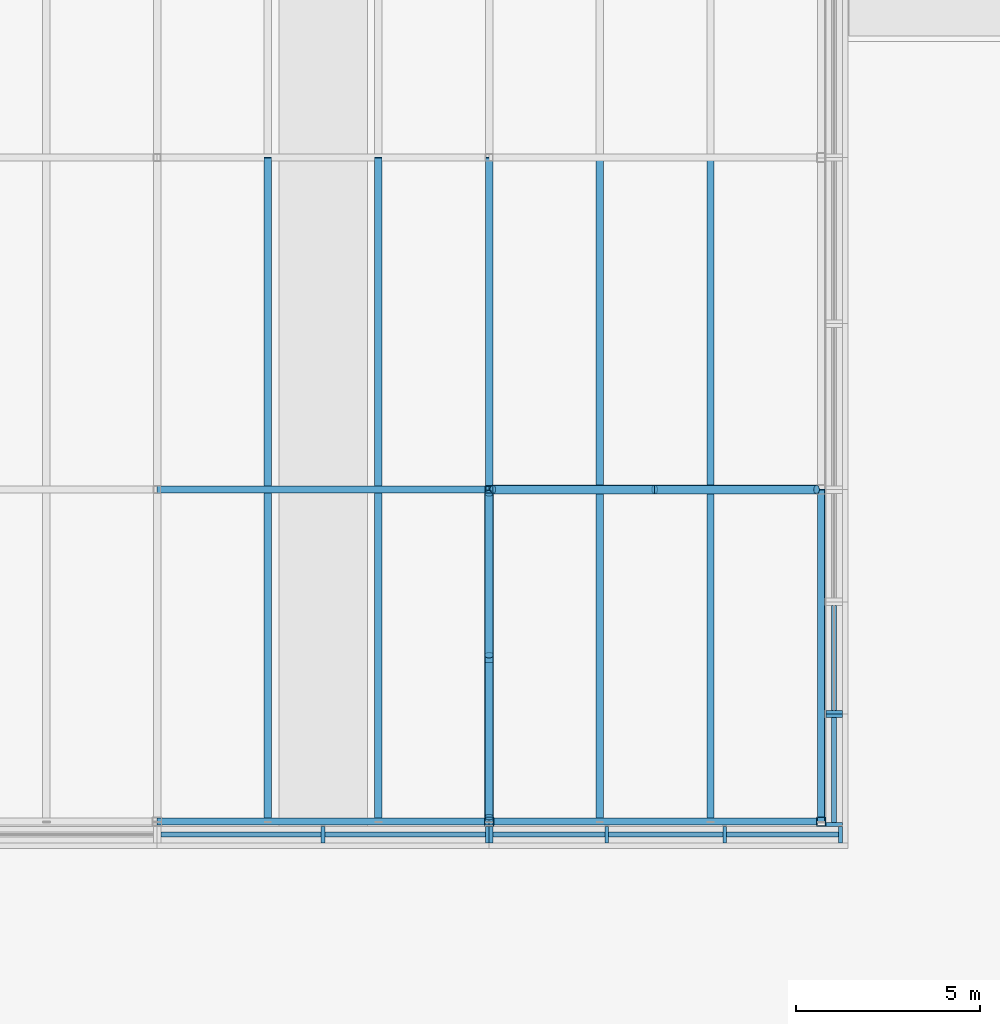
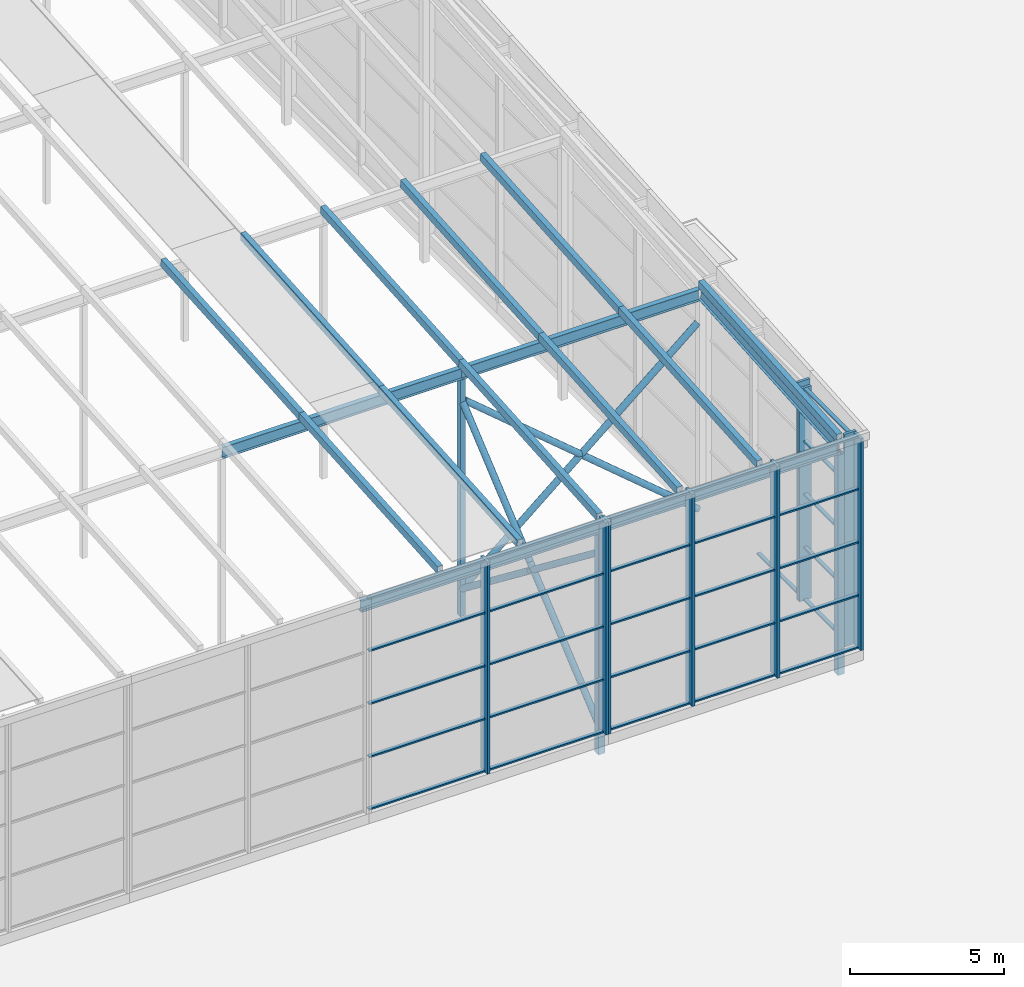
# One storey, part 20 of 84: 62 members, 5 beams, 4 elements without a shape of their own.
"""IFC4 building model written with IfcOpenShell, lengths in metres."""

from ifc_helpers import new_model, si_unit, direction, frame, origin, origin_2d, place, context, subcontext, project, spatial, rectangle, hollow_rectangle, hollow_circle, i_section, extrude, material, material_profile, profile_set, type_object, element, aggregate, save


model = new_model("IFC4")

# Units and contexts
model_context = context("Model", 3, precision=1e-05, world=origin(), true_north=direction((0.0, 1.0)))
body_context = subcontext(model_context, "Body", "Model", "MODEL_VIEW")
ifc_project = project(units=[si_unit("LENGTHUNIT", "METRE"), si_unit("AREAUNIT", "SQUARE_METRE"), si_unit("VOLUMEUNIT", "CUBIC_METRE"), si_unit("PLANEANGLEUNIT", "RADIAN"), si_unit("MASSUNIT", "GRAM", prefix="KILO")], contexts=[model_context])

# Site, building, storey
site_placement = place(None, origin())
site = spatial("IfcSite", under=ifc_project, at=site_placement, CompositionType="ELEMENT")
building_placement = place(site_placement, origin())
building = spatial("IfcBuilding", under=site, at=building_placement, Name="Silverbay Arena", CompositionType="ELEMENT")
storey_placement = place(building_placement, frame((0.0, 0.0, 47.10009765625)))
storey = spatial("IfcBuildingStorey", under=building, at=storey_placement, Name="ROOF", CompositionType="ELEMENT", Elevation=47.10009765625)

# Curtain wall, members
ifc_material_1 = material(Name="Aluminium framed glazing", Category="aluminium")
curtain_wall_type_1 = type_object("IfcCurtainWallType", Name="Curtain wall crown 9000 x 8425", PredefinedType="NOTDEFINED", material=ifc_material_1)
curtain_wall_1_placement = place(storey_placement, origin())
curtain_wall_1 = element("IfcCurtainWall", 1, at=curtain_wall_1_placement, inside=storey, type_object=curtain_wall_type_1, Name="ROOF CROWN CURTAIN WALL south bay 10", PredefinedType="NOTDEFINED")
ifc_material_2 = material(Name="Aluminium", Category="aluminium")
ifc_material_profile_1 = material_profile(ifc_material_2, rectangle(XDim=0.449951171875, YDim=0.10009765625, at=origin_2d()), Name="Mullion 100 x 450")
ifc_profile_set_1 = profile_set([ifc_material_profile_1], Name="Aluminium")
member_type_1 = type_object("IfcMemberType", Name="Mullion 100 x 450", PredefinedType="MULLION", material=ifc_profile_set_1)
placement = place(building_placement, frame((0.0, 0.0, 33.5)))
member_1_placement = place(placement, frame((166.5, 26.64990234375, 14.050048828125), z_axis=(0.0, 0.0, 1.0), x_axis=(0.0, 1.0, 0.0)))
member_1 = element("IfcMember", 2, at=member_1_placement, type_object=member_type_1, Name="CW62 mullion 2", PredefinedType="MULLION", context=body_context, shape_type="SweptSolid", body=[
    extrude(rectangle(XDim=0.449951171875, YDim=0.10009765625, at=origin_2d()), origin(), (0.0, 0.0, 1.0), 8.424560546875),
])
member_2_placement = place(placement, frame((170.949951171875, 26.64990234375, 14.050048828125), z_axis=(0.0, 0.0, 1.0), x_axis=(0.0, 1.0, 0.0)))
member_2 = element("IfcMember", 3, at=member_2_placement, type_object=member_type_1, Name="CW62 mullion 3", PredefinedType="MULLION", context=body_context, shape_type="SweptSolid", body=[
    extrude(rectangle(XDim=0.449951171875, YDim=0.10009765625, at=origin_2d()), origin(), (0.0, 0.0, 1.0), 8.424560546875),
])

ifc_material_3 = material(Name="Aluminium framed glazing", Category="aluminium")
curtain_wall_type_2 = type_object("IfcCurtainWallType", Name="Curtain wall crown 9575 x 8425", PredefinedType="NOTDEFINED", material=ifc_material_3)
curtain_wall_2_placement = place(storey_placement, origin())
curtain_wall_2 = element("IfcCurtainWall", 4, at=curtain_wall_2_placement, inside=storey, type_object=curtain_wall_type_2, Name="ROOF CROWN CURTAIN WALL south bay 11", PredefinedType="NOTDEFINED")
member_3_placement = place(placement, frame((171.050048828125, 26.64990234375, 14.050048828125), z_axis=(0.0, 0.0, 1.0), x_axis=(0.0, 1.0, 0.0)))
member_3 = element("IfcMember", 5, at=member_3_placement, type_object=member_type_1, Name="CW61 mullion 1", PredefinedType="MULLION", context=body_context, shape_type="SweptSolid", body=[
    extrude(rectangle(XDim=0.449951171875, YDim=0.10009765625, at=origin_2d()), origin(), (0.0, 0.0, 1.0), 8.424560546875),
])
member_4_placement = place(placement, frame((174.191650390625, 26.64990234375, 14.050048828125), z_axis=(0.0, 0.0, 1.0), x_axis=(0.0, 1.0, 0.0)))
member_4 = element("IfcMember", 6, at=member_4_placement, type_object=member_type_1, Name="CW61 mullion 2", PredefinedType="MULLION", context=body_context, shape_type="SweptSolid", body=[
    extrude(rectangle(XDim=0.449951171875, YDim=0.10009765625, at=origin_2d()), origin(), (0.0, 0.0, 1.0), 8.424560546875),
])
member_5_placement = place(placement, frame((177.38330078125, 26.64990234375, 14.050048828125), z_axis=(0.0, 0.0, 1.0), x_axis=(0.0, 1.0, 0.0)))
member_5 = element("IfcMember", 7, at=member_5_placement, type_object=member_type_1, Name="CW61 mullion 3", PredefinedType="MULLION", context=body_context, shape_type="SweptSolid", body=[
    extrude(rectangle(XDim=0.449951171875, YDim=0.10009765625, at=origin_2d()), origin(), (0.0, 0.0, 1.0), 8.424560546875),
])
member_6_placement = place(placement, frame((180.52490234375, 26.64990234375, 14.050048828125), z_axis=(0.0, 0.0, 1.0), x_axis=(0.0, 1.0, 0.0)))
member_6 = element("IfcMember", 8, at=member_6_placement, type_object=member_type_1, Name="CW61 mullion 4", PredefinedType="MULLION", context=body_context, shape_type="SweptSolid", body=[
    extrude(rectangle(XDim=0.449951171875, YDim=0.10009765625, at=origin_2d()), origin(), (0.0, 0.0, 1.0), 8.424560546875),
])

ifc_material_4 = material(Name="Aluminium framed glazing", Category="aluminium")
curtain_wall_type_3 = type_object("IfcCurtainWallType", Name="Curtain wall crown 3042 x 8441", PredefinedType="NOTDEFINED", material=ifc_material_4)
curtain_wall_3_placement = place(storey_placement, origin())
curtain_wall_3 = element("IfcCurtainWall", 9, at=curtain_wall_3_placement, inside=storey, type_object=curtain_wall_type_3, Name="ROOF CROWN CURTAIN WALL east bay 01", PredefinedType="NOTDEFINED")
member_7_placement = place(placement, frame((180.35009765625, 26.925048828125, 14.050048828125), z_axis=(0.0, 0.0, 1.0), x_axis=(-1.0, 0.0, 0.0)))
member_7 = element("IfcMember", 10, at=member_7_placement, type_object=member_type_1, Name="CW63 mullion 1", PredefinedType="MULLION", context=body_context, shape_type="SweptSolid", body=[
    extrude(rectangle(XDim=0.449951171875, YDim=0.10009765625, at=origin_2d()), origin(), (0.0, 0.0, 1.0), 8.44091796875),
])
member_8_placement = place(placement, frame((180.35009765625, 29.86669921875, 14.050048828125), z_axis=(0.0, 0.0, 1.0), x_axis=(-1.0, 0.0, 0.0)))
member_8 = element("IfcMember", 11, at=member_8_placement, type_object=member_type_1, Name="CW63 mullion 2", PredefinedType="MULLION", context=body_context, shape_type="SweptSolid", body=[
    extrude(rectangle(XDim=0.449951171875, YDim=0.10009765625, at=origin_2d()), origin(), (0.0, 0.0, 1.0), 8.44091796875),
])

# Curtain wall, member
ifc_material_5 = material(Name="Aluminium framed glazing", Category="aluminium")
curtain_wall_type_4 = type_object("IfcCurtainWallType", Name="Curtain wall crown 3042 x 8661", PredefinedType="NOTDEFINED", material=ifc_material_5)
curtain_wall_4_placement = place(storey_placement, origin())
curtain_wall_4 = element("IfcCurtainWall", 12, at=curtain_wall_4_placement, inside=storey, type_object=curtain_wall_type_4, Name="ROOF CROWN CURTAIN WALL east bay 02", PredefinedType="NOTDEFINED")
member_9_placement = place(placement, frame((180.35009765625, 29.966552734375, 14.050048828125), z_axis=(0.0, 0.0, 1.0), x_axis=(-1.0, 0.0, 0.0)))
member_9 = element("IfcMember", 13, at=member_9_placement, type_object=member_type_1, Name="CW64 mullion 1", PredefinedType="MULLION", context=body_context, shape_type="SweptSolid", body=[
    extrude(rectangle(XDim=0.449951171875, YDim=0.10009765625, at=origin_2d()), origin(), (0.0, 0.0, 1.0), 8.66064453125),
])

# Members
ifc_material_6 = material(Name="Steel S355", Category="steel")
ifc_material_profile_2 = material_profile(ifc_material_6, hollow_rectangle(XDim=0.199951171875, YDim=0.300048828125, WallThickness=0.00634765625, at=origin_2d()), Name="RHS 300x200x6.3")
ifc_profile_set_2 = profile_set([ifc_material_profile_2], Name="Steel S355")
member_type_2 = type_object("IfcMemberType", Name="Purlin RHS 300x200x6.3", PredefinedType="PURLIN", material=ifc_profile_set_2)
for number, where, z_axis, x_axis, name in (
    (14, (165.0, 27.0, 8.74951171875), (0.0, 0.997402911363, 0.072023832195), (-1.0, 0.0, 0.0), "ROOF PURLIN crown line 29 bay 01"),
    (15, (165.0, 36.0, 9.3994140625), (0.0, 0.997400967367, 0.07205074805), (-1.0, 0.0, 0.0), "ROOF PURLIN crown line 29 bay 02"),
    (16, (168.0, 27.0, 8.74951171875), (0.0, 0.997402911363, 0.072023832195), (-1.0, 0.0, 0.0), "ROOF PURLIN crown line 30 bay 01"),
    (17, (168.0, 36.0, 9.3994140625), (0.0, 0.997400967367, 0.07205074805), (-1.0, 0.0, 0.0), "ROOF PURLIN crown line 30 bay 02"),
    (18, (171.0, 27.0, 8.74951171875), (0.0, 0.997402911363, 0.072023832195), (-1.0, 0.0, 0.0), "ROOF PURLIN crown line 31 bay 01"),
    (19, (171.0, 36.0, 9.3994140625), (0.0, 0.997400967367, 0.07205074805), (-1.0, 0.0, 0.0), "ROOF PURLIN crown line 31 bay 02"),
    (20, (174.0, 27.0, 8.74951171875), (0.0, 0.997402911363, 0.072023832195), (-1.0, 0.0, 0.0), "ROOF PURLIN crown line 32 bay 01"),
    (21, (174.0, 36.0, 9.3994140625), (0.0, 0.997400967367, 0.07205074805), (-1.0, 0.0, 0.0), "ROOF PURLIN crown line 32 bay 02"),
    (22, (177.0, 27.0, 8.74951171875), (0.0, 0.997402911363, 0.072023832195), (-1.0, 0.0, 0.0), "ROOF PURLIN crown line 33 bay 01"),
    (23, (177.0, 36.0, 9.3994140625), (0.0, 0.997400967367, 0.07205074805), (-1.0, 0.0, 0.0), "ROOF PURLIN crown line 33 bay 02"),
):
    element("IfcMember", number, at=place(storey_placement, frame(where, z_axis=z_axis, x_axis=x_axis)), inside=storey, type_object=member_type_2, Name=name, PredefinedType="PURLIN", context=body_context, shape_type="SweptSolid", body=[
        extrude(hollow_rectangle(XDim=0.199951171875, YDim=0.300048828125, WallThickness=0.00634765625, at=origin_2d()), origin(), (0.0, 0.0, 1.0), 9.0234375),
    ])
ifc_material_7 = material(Name="Steel S355", Category="steel")
ifc_material_profile_3 = material_profile(ifc_material_7, hollow_rectangle(XDim=0.199951171875, YDim=0.300048828125, WallThickness=0.008056640625, at=origin_2d()), Name="RHS 300x200x8")
ifc_profile_set_3 = profile_set([ifc_material_profile_3], Name="Steel S355")
member_type_3 = type_object("IfcMemberType", Name="Purlin RHS 300x200x8", PredefinedType="PURLIN", material=ifc_profile_set_3)
member_10_placement = place(storey_placement, frame((180.0, 27.0, 8.74951171875), z_axis=(0.0, 0.997402911363, 0.072023832195), x_axis=(-1.0, 0.0, 0.0)))
element("IfcMember", 24, at=member_10_placement, inside=storey, type_object=member_type_3, Name="ROOF PURLIN crown line 34 bay 01", PredefinedType="PURLIN", context=body_context, shape_type="SweptSolid", body=[
    extrude(hollow_rectangle(XDim=0.199951171875, YDim=0.300048828125, WallThickness=0.008056640625, at=origin_2d()), origin(), (0.0, 0.0, 1.0), 9.0234375),
])

# Beams
ifc_material_8 = material(Name="Steel S355", Category="steel")
ifc_material_profile_4 = material_profile(ifc_material_8, i_section(OverallWidth=0.18994140625, OverallDepth=0.453369140625, WebThickness=0.008544921875, FlangeThickness=0.0126953125, at=origin_2d()), Name="UB 457x191x67")
ifc_profile_set_4 = profile_set([ifc_material_profile_4], Name="Steel S355")
beam_type = type_object("IfcBeamType", Name="Ring beam UB 457x191x67", PredefinedType="BEAM", material=ifc_profile_set_4)
beam_1_placement = place(storey_placement, frame((162.0, 27.0, 8.372314453125), z_axis=(1.0, 0.0, 0.0), x_axis=(0.0, 1.0, 0.0)))
element("IfcBeam", 25, at=beam_1_placement, inside=storey, type_object=beam_type, Name="RING BEAM crown row 01 19-20", PredefinedType="BEAM", context=body_context, shape_type="SweptSolid", body=[
    extrude(i_section(OverallWidth=0.18994140625, OverallDepth=0.453369140625, WebThickness=0.008544921875, FlangeThickness=0.0126953125, at=origin_2d()), origin(), (0.0, 0.0, 1.0), 9.0),
])
beam_2_placement = place(storey_placement, frame((171.0, 27.0, 8.372314453125), z_axis=(1.0, 0.0, 0.0), x_axis=(0.0, 1.0, 0.0)))
element("IfcBeam", 26, at=beam_2_placement, inside=storey, type_object=beam_type, Name="RING BEAM crown row 01 20-21", PredefinedType="BEAM", context=body_context, shape_type="SweptSolid", body=[
    extrude(i_section(OverallWidth=0.18994140625, OverallDepth=0.453369140625, WebThickness=0.008544921875, FlangeThickness=0.0126953125, at=origin_2d()), origin(), (0.0, 0.0, 1.0), 8.905029296875),
])
beam_3_placement = place(storey_placement, frame((162.0, 36.0, 9.0224609375), z_axis=(1.0, 0.0, 0.0), x_axis=(0.0, 1.0, 0.0)))
element("IfcBeam", 27, at=beam_3_placement, inside=storey, type_object=beam_type, Name="RING BEAM crown row 02 19-20", PredefinedType="BEAM", context=body_context, shape_type="SweptSolid", body=[
    extrude(i_section(OverallWidth=0.18994140625, OverallDepth=0.453369140625, WebThickness=0.008544921875, FlangeThickness=0.0126953125, at=origin_2d()), origin(), (0.0, 0.0, 1.0), 9.0),
])
beam_4_placement = place(storey_placement, frame((171.0, 36.0, 9.0224609375), z_axis=(1.0, 0.0, 0.0), x_axis=(0.0, 1.0, 0.0)))
element("IfcBeam", 28, at=beam_4_placement, inside=storey, type_object=beam_type, Name="RING BEAM crown row 02 20-21", PredefinedType="BEAM", context=body_context, shape_type="SweptSolid", body=[
    extrude(i_section(OverallWidth=0.18994140625, OverallDepth=0.453369140625, WebThickness=0.008544921875, FlangeThickness=0.0126953125, at=origin_2d()), origin(), (0.0, 0.0, 1.0), 8.905029296875),
])
beam_5_placement = place(storey_placement, frame((180.0, 27.0, 8.372314453125), z_axis=(0.0, 0.997400967367, 0.07205074805), x_axis=(-1.0, 0.0, 0.0)))
element("IfcBeam", 29, at=beam_5_placement, inside=storey, type_object=beam_type, Name="RING BEAM crown east edge 01", PredefinedType="BEAM", context=body_context, shape_type="SweptSolid", body=[
    extrude(i_section(OverallWidth=0.18994140625, OverallDepth=0.453369140625, WebThickness=0.008544921875, FlangeThickness=0.0126953125, at=origin_2d()), origin(), (0.0, 0.0, 1.0), 9.0234375),
])

# Members
ifc_material_9 = material(Name="Steel S355", Category="steel")
ifc_material_profile_5 = material_profile(ifc_material_9, hollow_rectangle(XDim=0.199951171875, YDim=0.199951171875, WallThickness=0.008056640625, at=origin_2d()), Name="SHS 200x200x8")
ifc_profile_set_5 = profile_set([ifc_material_profile_5], Name="Steel S355")
member_type_4 = type_object("IfcMemberType", Name="Roof post SHS 200x200x8", PredefinedType="POST", material=ifc_profile_set_5)
member_11_placement = place(storey_placement, frame((171.0, 36.0, -0.60009765625), z_axis=(0.0, 0.0, 1.0), x_axis=(1.0, 0.0, 0.0)))
element("IfcMember", 30, at=member_11_placement, inside=storey, type_object=member_type_4, Name="ROOF CROWN POST 20 row 02", PredefinedType="POST", context=body_context, shape_type="SweptSolid", body=[
    extrude(hollow_rectangle(XDim=0.199951171875, YDim=0.199951171875, WallThickness=0.008056640625, at=origin_2d()), origin(), (0.0, 0.0, 1.0), 9.395751953125),
])
ifc_material_10 = material(Name="Steel S355", Category="steel")
ifc_material_profile_6 = material_profile(ifc_material_10, hollow_rectangle(XDim=0.25, YDim=0.25, WallThickness=0.008056640625, at=origin_2d()), Name="SHS 250x250x8")
ifc_profile_set_6 = profile_set([ifc_material_profile_6], Name="Steel S355")
member_type_5 = type_object("IfcMemberType", Name="Roof post SHS 250x250x8", PredefinedType="POST", material=ifc_profile_set_6)
for number, where, z_axis, x_axis, name in (
    (31, (171.0, 27.0, -0.60009765625), (0.0, 0.0, 1.0), (1.0, 0.0, 0.0), "ROOF CROWN POST 20 row 01"),
    (32, (180.0, 27.0, -0.60009765625), (0.0, 0.0, 1.0), (1.0, 0.0, 0.0), "ROOF CROWN POST 21 row 01"),
):
    element("IfcMember", number, at=place(storey_placement, frame(where, z_axis=z_axis, x_axis=x_axis)), inside=storey, type_object=member_type_5, Name=name, PredefinedType="POST", context=body_context, shape_type="SweptSolid", body=[
        extrude(hollow_rectangle(XDim=0.25, YDim=0.25, WallThickness=0.008056640625, at=origin_2d()), origin(), (0.0, 0.0, 1.0), 8.745849609375),
    ])

# Member
ifc_material_11 = material(Name="Aluminium", Category="aluminium")
ifc_material_profile_7 = material_profile(ifc_material_11, rectangle(XDim=0.139892578125, YDim=0.06005859375, at=origin_2d()), Name="Transom 60 x 140")
ifc_profile_set_7 = profile_set([ifc_material_profile_7], Name="Aluminium")
member_type_6 = type_object("IfcMemberType", Name="Transom 60 x 140", PredefinedType="USERDEFINED", material=ifc_profile_set_7)
member_12_placement = place(placement, frame((162.10009765625, 26.64990234375, 14.080078125), z_axis=(1.0, 0.0, 0.0), x_axis=(0.0, 1.0, 0.0)))
member_12 = element("IfcMember", 33, at=member_12_placement, type_object=member_type_6, Name="CW62 transom 1.1", ObjectType="TRANSOM", PredefinedType="USERDEFINED", context=body_context, shape_type="SweptSolid", body=[
    extrude(rectangle(XDim=0.139892578125, YDim=0.06005859375, at=origin_2d()), origin(), (0.0, 0.0, 1.0), 4.349853515625),
])

member_13_placement = place(placement, frame((162.10009765625, 26.64990234375, 16.15625), z_axis=(1.0, 0.0, 0.0), x_axis=(0.0, 1.0, 0.0)))
member_13 = element("IfcMember", 34, at=member_13_placement, type_object=member_type_6, Name="CW62 transom 1.2", ObjectType="TRANSOM", PredefinedType="USERDEFINED", context=body_context, shape_type="SweptSolid", body=[
    extrude(rectangle(XDim=0.139892578125, YDim=0.06005859375, at=origin_2d()), origin(), (0.0, 0.0, 1.0), 4.349853515625),
])

member_14_placement = place(placement, frame((162.10009765625, 26.64990234375, 18.262451171875), z_axis=(1.0, 0.0, 0.0), x_axis=(0.0, 1.0, 0.0)))
member_14 = element("IfcMember", 35, at=member_14_placement, type_object=member_type_6, Name="CW62 transom 1.3", ObjectType="TRANSOM", PredefinedType="USERDEFINED", context=body_context, shape_type="SweptSolid", body=[
    extrude(rectangle(XDim=0.139892578125, YDim=0.06005859375, at=origin_2d()), origin(), (0.0, 0.0, 1.0), 4.349853515625),
])

member_15_placement = place(placement, frame((162.10009765625, 26.64990234375, 20.36865234375), z_axis=(1.0, 0.0, 0.0), x_axis=(0.0, 1.0, 0.0)))
member_15 = element("IfcMember", 36, at=member_15_placement, type_object=member_type_6, Name="CW62 transom 1.4", ObjectType="TRANSOM", PredefinedType="USERDEFINED", context=body_context, shape_type="SweptSolid", body=[
    extrude(rectangle(XDim=0.139892578125, YDim=0.06005859375, at=origin_2d()), origin(), (0.0, 0.0, 1.0), 4.349853515625),
])

member_16_placement = place(placement, frame((162.10009765625, 26.64990234375, 22.44482421875), z_axis=(1.0, 0.0, 0.0), x_axis=(0.0, 1.0, 0.0)))
member_16 = element("IfcMember", 37, at=member_16_placement, type_object=member_type_6, Name="CW62 transom 1.5", ObjectType="TRANSOM", PredefinedType="USERDEFINED", context=body_context, shape_type="SweptSolid", body=[
    extrude(rectangle(XDim=0.139892578125, YDim=0.06005859375, at=origin_2d()), origin(), (0.0, 0.0, 1.0), 4.349853515625),
])

member_17_placement = place(placement, frame((166.550048828125, 26.64990234375, 14.080078125), z_axis=(1.0, 0.0, 0.0), x_axis=(0.0, 1.0, 0.0)))
member_17 = element("IfcMember", 38, at=member_17_placement, type_object=member_type_6, Name="CW62 transom 2.1", ObjectType="TRANSOM", PredefinedType="USERDEFINED", context=body_context, shape_type="SweptSolid", body=[
    extrude(rectangle(XDim=0.139892578125, YDim=0.06005859375, at=origin_2d()), origin(), (0.0, 0.0, 1.0), 4.349853515625),
])

member_18_placement = place(placement, frame((166.550048828125, 26.64990234375, 16.15625), z_axis=(1.0, 0.0, 0.0), x_axis=(0.0, 1.0, 0.0)))
member_18 = element("IfcMember", 39, at=member_18_placement, type_object=member_type_6, Name="CW62 transom 2.2", ObjectType="TRANSOM", PredefinedType="USERDEFINED", context=body_context, shape_type="SweptSolid", body=[
    extrude(rectangle(XDim=0.139892578125, YDim=0.06005859375, at=origin_2d()), origin(), (0.0, 0.0, 1.0), 4.349853515625),
])

member_19_placement = place(placement, frame((166.550048828125, 26.64990234375, 18.262451171875), z_axis=(1.0, 0.0, 0.0), x_axis=(0.0, 1.0, 0.0)))
member_19 = element("IfcMember", 40, at=member_19_placement, type_object=member_type_6, Name="CW62 transom 2.3", ObjectType="TRANSOM", PredefinedType="USERDEFINED", context=body_context, shape_type="SweptSolid", body=[
    extrude(rectangle(XDim=0.139892578125, YDim=0.06005859375, at=origin_2d()), origin(), (0.0, 0.0, 1.0), 4.349853515625),
])

member_20_placement = place(placement, frame((166.550048828125, 26.64990234375, 20.36865234375), z_axis=(1.0, 0.0, 0.0), x_axis=(0.0, 1.0, 0.0)))
member_20 = element("IfcMember", 41, at=member_20_placement, type_object=member_type_6, Name="CW62 transom 2.4", ObjectType="TRANSOM", PredefinedType="USERDEFINED", context=body_context, shape_type="SweptSolid", body=[
    extrude(rectangle(XDim=0.139892578125, YDim=0.06005859375, at=origin_2d()), origin(), (0.0, 0.0, 1.0), 4.349853515625),
])

member_21_placement = place(placement, frame((166.550048828125, 26.64990234375, 22.44482421875), z_axis=(1.0, 0.0, 0.0), x_axis=(0.0, 1.0, 0.0)))
member_21 = element("IfcMember", 42, at=member_21_placement, type_object=member_type_6, Name="CW62 transom 2.5", ObjectType="TRANSOM", PredefinedType="USERDEFINED", context=body_context, shape_type="SweptSolid", body=[
    extrude(rectangle(XDim=0.139892578125, YDim=0.06005859375, at=origin_2d()), origin(), (0.0, 0.0, 1.0), 4.349853515625),
])

aggregate(curtain_wall_1, [member_1, member_2, member_12, member_13, member_14, member_15, member_16, member_17, member_18, member_19, member_20, member_21])

member_22_placement = place(placement, frame((171.10009765625, 26.64990234375, 14.080078125), z_axis=(1.0, 0.0, 0.0), x_axis=(0.0, 1.0, 0.0)))
member_22 = element("IfcMember", 43, at=member_22_placement, type_object=member_type_6, Name="CW61 transom 1.1", ObjectType="TRANSOM", PredefinedType="USERDEFINED", context=body_context, shape_type="SweptSolid", body=[
    extrude(rectangle(XDim=0.139892578125, YDim=0.06005859375, at=origin_2d()), origin(), (0.0, 0.0, 1.0), 3.04150390625),
])

member_23_placement = place(placement, frame((171.10009765625, 26.64990234375, 16.15625), z_axis=(1.0, 0.0, 0.0), x_axis=(0.0, 1.0, 0.0)))
member_23 = element("IfcMember", 44, at=member_23_placement, type_object=member_type_6, Name="CW61 transom 1.2", ObjectType="TRANSOM", PredefinedType="USERDEFINED", context=body_context, shape_type="SweptSolid", body=[
    extrude(rectangle(XDim=0.139892578125, YDim=0.06005859375, at=origin_2d()), origin(), (0.0, 0.0, 1.0), 3.04150390625),
])

member_24_placement = place(placement, frame((171.10009765625, 26.64990234375, 18.262451171875), z_axis=(1.0, 0.0, 0.0), x_axis=(0.0, 1.0, 0.0)))
member_24 = element("IfcMember", 45, at=member_24_placement, type_object=member_type_6, Name="CW61 transom 1.3", ObjectType="TRANSOM", PredefinedType="USERDEFINED", context=body_context, shape_type="SweptSolid", body=[
    extrude(rectangle(XDim=0.139892578125, YDim=0.06005859375, at=origin_2d()), origin(), (0.0, 0.0, 1.0), 3.04150390625),
])

member_25_placement = place(placement, frame((171.10009765625, 26.64990234375, 20.36865234375), z_axis=(1.0, 0.0, 0.0), x_axis=(0.0, 1.0, 0.0)))
member_25 = element("IfcMember", 46, at=member_25_placement, type_object=member_type_6, Name="CW61 transom 1.4", ObjectType="TRANSOM", PredefinedType="USERDEFINED", context=body_context, shape_type="SweptSolid", body=[
    extrude(rectangle(XDim=0.139892578125, YDim=0.06005859375, at=origin_2d()), origin(), (0.0, 0.0, 1.0), 3.04150390625),
])

member_26_placement = place(placement, frame((171.10009765625, 26.64990234375, 22.44482421875), z_axis=(1.0, 0.0, 0.0), x_axis=(0.0, 1.0, 0.0)))
member_26 = element("IfcMember", 47, at=member_26_placement, type_object=member_type_6, Name="CW61 transom 1.5", ObjectType="TRANSOM", PredefinedType="USERDEFINED", context=body_context, shape_type="SweptSolid", body=[
    extrude(rectangle(XDim=0.139892578125, YDim=0.06005859375, at=origin_2d()), origin(), (0.0, 0.0, 1.0), 3.04150390625),
])

member_27_placement = place(placement, frame((174.24169921875, 26.64990234375, 14.080078125), z_axis=(1.0, 0.0, 0.0), x_axis=(0.0, 1.0, 0.0)))
member_27 = element("IfcMember", 48, at=member_27_placement, type_object=member_type_6, Name="CW61 transom 2.1", ObjectType="TRANSOM", PredefinedType="USERDEFINED", context=body_context, shape_type="SweptSolid", body=[
    extrude(rectangle(XDim=0.139892578125, YDim=0.06005859375, at=origin_2d()), origin(), (0.0, 0.0, 1.0), 3.091552734375),
])

member_28_placement = place(placement, frame((174.24169921875, 26.64990234375, 16.15625), z_axis=(1.0, 0.0, 0.0), x_axis=(0.0, 1.0, 0.0)))
member_28 = element("IfcMember", 49, at=member_28_placement, type_object=member_type_6, Name="CW61 transom 2.2", ObjectType="TRANSOM", PredefinedType="USERDEFINED", context=body_context, shape_type="SweptSolid", body=[
    extrude(rectangle(XDim=0.139892578125, YDim=0.06005859375, at=origin_2d()), origin(), (0.0, 0.0, 1.0), 3.091552734375),
])

member_29_placement = place(placement, frame((174.24169921875, 26.64990234375, 18.262451171875), z_axis=(1.0, 0.0, 0.0), x_axis=(0.0, 1.0, 0.0)))
member_29 = element("IfcMember", 50, at=member_29_placement, type_object=member_type_6, Name="CW61 transom 2.3", ObjectType="TRANSOM", PredefinedType="USERDEFINED", context=body_context, shape_type="SweptSolid", body=[
    extrude(rectangle(XDim=0.139892578125, YDim=0.06005859375, at=origin_2d()), origin(), (0.0, 0.0, 1.0), 3.091552734375),
])

member_30_placement = place(placement, frame((174.24169921875, 26.64990234375, 20.36865234375), z_axis=(1.0, 0.0, 0.0), x_axis=(0.0, 1.0, 0.0)))
member_30 = element("IfcMember", 51, at=member_30_placement, type_object=member_type_6, Name="CW61 transom 2.4", ObjectType="TRANSOM", PredefinedType="USERDEFINED", context=body_context, shape_type="SweptSolid", body=[
    extrude(rectangle(XDim=0.139892578125, YDim=0.06005859375, at=origin_2d()), origin(), (0.0, 0.0, 1.0), 3.091552734375),
])

member_31_placement = place(placement, frame((174.24169921875, 26.64990234375, 22.44482421875), z_axis=(1.0, 0.0, 0.0), x_axis=(0.0, 1.0, 0.0)))
member_31 = element("IfcMember", 52, at=member_31_placement, type_object=member_type_6, Name="CW61 transom 2.5", ObjectType="TRANSOM", PredefinedType="USERDEFINED", context=body_context, shape_type="SweptSolid", body=[
    extrude(rectangle(XDim=0.139892578125, YDim=0.06005859375, at=origin_2d()), origin(), (0.0, 0.0, 1.0), 3.091552734375),
])

member_32_placement = place(placement, frame((177.433349609375, 26.64990234375, 14.080078125), z_axis=(1.0, 0.0, 0.0), x_axis=(0.0, 1.0, 0.0)))
member_32 = element("IfcMember", 53, at=member_32_placement, type_object=member_type_6, Name="CW61 transom 3.1", ObjectType="TRANSOM", PredefinedType="USERDEFINED", context=body_context, shape_type="SweptSolid", body=[
    extrude(rectangle(XDim=0.139892578125, YDim=0.06005859375, at=origin_2d()), origin(), (0.0, 0.0, 1.0), 3.041748046875),
])

member_33_placement = place(placement, frame((177.433349609375, 26.64990234375, 16.15625), z_axis=(1.0, 0.0, 0.0), x_axis=(0.0, 1.0, 0.0)))
member_33 = element("IfcMember", 54, at=member_33_placement, type_object=member_type_6, Name="CW61 transom 3.2", ObjectType="TRANSOM", PredefinedType="USERDEFINED", context=body_context, shape_type="SweptSolid", body=[
    extrude(rectangle(XDim=0.139892578125, YDim=0.06005859375, at=origin_2d()), origin(), (0.0, 0.0, 1.0), 3.041748046875),
])

member_34_placement = place(placement, frame((177.433349609375, 26.64990234375, 18.262451171875), z_axis=(1.0, 0.0, 0.0), x_axis=(0.0, 1.0, 0.0)))
member_34 = element("IfcMember", 55, at=member_34_placement, type_object=member_type_6, Name="CW61 transom 3.3", ObjectType="TRANSOM", PredefinedType="USERDEFINED", context=body_context, shape_type="SweptSolid", body=[
    extrude(rectangle(XDim=0.139892578125, YDim=0.06005859375, at=origin_2d()), origin(), (0.0, 0.0, 1.0), 3.041748046875),
])

member_35_placement = place(placement, frame((177.433349609375, 26.64990234375, 20.36865234375), z_axis=(1.0, 0.0, 0.0), x_axis=(0.0, 1.0, 0.0)))
member_35 = element("IfcMember", 56, at=member_35_placement, type_object=member_type_6, Name="CW61 transom 3.4", ObjectType="TRANSOM", PredefinedType="USERDEFINED", context=body_context, shape_type="SweptSolid", body=[
    extrude(rectangle(XDim=0.139892578125, YDim=0.06005859375, at=origin_2d()), origin(), (0.0, 0.0, 1.0), 3.041748046875),
])

member_36_placement = place(placement, frame((177.433349609375, 26.64990234375, 22.44482421875), z_axis=(1.0, 0.0, 0.0), x_axis=(0.0, 1.0, 0.0)))
member_36 = element("IfcMember", 57, at=member_36_placement, type_object=member_type_6, Name="CW61 transom 3.5", ObjectType="TRANSOM", PredefinedType="USERDEFINED", context=body_context, shape_type="SweptSolid", body=[
    extrude(rectangle(XDim=0.139892578125, YDim=0.06005859375, at=origin_2d()), origin(), (0.0, 0.0, 1.0), 3.041748046875),
])

aggregate(curtain_wall_2, [member_3, member_4, member_5, member_6, member_22, member_23, member_24, member_25, member_26, member_27, member_28, member_29, member_30, member_31, member_32, member_33, member_34, member_35, member_36])

member_37_placement = place(placement, frame((180.35009765625, 26.97509765625, 14.080078125), z_axis=(0.0, 1.0, 0.0), x_axis=(-1.0, 0.0, 0.0)))
member_37 = element("IfcMember", 58, at=member_37_placement, type_object=member_type_6, Name="CW63 transom 1.1", ObjectType="TRANSOM", PredefinedType="USERDEFINED", context=body_context, shape_type="SweptSolid", body=[
    extrude(rectangle(XDim=0.139892578125, YDim=0.06005859375, at=origin_2d()), origin(), (0.0, 0.0, 1.0), 2.841552734375),
])

member_38_placement = place(placement, frame((180.35009765625, 26.97509765625, 16.16015625), z_axis=(0.0, 1.0, 0.0), x_axis=(-1.0, 0.0, 0.0)))
member_38 = element("IfcMember", 59, at=member_38_placement, type_object=member_type_6, Name="CW63 transom 1.2", ObjectType="TRANSOM", PredefinedType="USERDEFINED", context=body_context, shape_type="SweptSolid", body=[
    extrude(rectangle(XDim=0.139892578125, YDim=0.06005859375, at=origin_2d()), origin(), (0.0, 0.0, 1.0), 2.841552734375),
])

member_39_placement = place(placement, frame((180.35009765625, 26.97509765625, 18.2705078125), z_axis=(0.0, 1.0, 0.0), x_axis=(-1.0, 0.0, 0.0)))
member_39 = element("IfcMember", 60, at=member_39_placement, type_object=member_type_6, Name="CW63 transom 1.3", ObjectType="TRANSOM", PredefinedType="USERDEFINED", context=body_context, shape_type="SweptSolid", body=[
    extrude(rectangle(XDim=0.139892578125, YDim=0.06005859375, at=origin_2d()), origin(), (0.0, 0.0, 1.0), 2.841552734375),
])

member_40_placement = place(placement, frame((180.35009765625, 26.97509765625, 20.380615234375), z_axis=(0.0, 1.0, 0.0), x_axis=(-1.0, 0.0, 0.0)))
member_40 = element("IfcMember", 61, at=member_40_placement, type_object=member_type_6, Name="CW63 transom 1.4", ObjectType="TRANSOM", PredefinedType="USERDEFINED", context=body_context, shape_type="SweptSolid", body=[
    extrude(rectangle(XDim=0.139892578125, YDim=0.06005859375, at=origin_2d()), origin(), (0.0, 0.0, 1.0), 2.841552734375),
])

member_41_placement = place(placement, frame((180.35009765625, 26.97509765625, 22.4609375), z_axis=(0.0, 1.0, 0.0), x_axis=(-1.0, 0.0, 0.0)))
member_41 = element("IfcMember", 62, at=member_41_placement, type_object=member_type_6, Name="CW63 transom 1.5", ObjectType="TRANSOM", PredefinedType="USERDEFINED", context=body_context, shape_type="SweptSolid", body=[
    extrude(rectangle(XDim=0.139892578125, YDim=0.06005859375, at=origin_2d()), origin(), (0.0, 0.0, 1.0), 2.841552734375),
])

aggregate(curtain_wall_3, [member_7, member_8, member_37, member_38, member_39, member_40, member_41])

member_42_placement = place(placement, frame((180.35009765625, 30.0166015625, 14.080078125), z_axis=(0.0, 1.0, 0.0), x_axis=(-1.0, 0.0, 0.0)))
member_42 = element("IfcMember", 63, at=member_42_placement, type_object=member_type_6, Name="CW64 transom 1.1", ObjectType="TRANSOM", PredefinedType="USERDEFINED", context=body_context, shape_type="SweptSolid", body=[
    extrude(rectangle(XDim=0.139892578125, YDim=0.06005859375, at=origin_2d()), origin(), (0.0, 0.0, 1.0), 2.841796875),
])

aggregate(curtain_wall_4, [member_9, member_42])

# Members
ifc_material_12 = material(Name="Steel S355", Category="steel")
ifc_material_profile_8 = material_profile(ifc_material_12, hollow_circle(Radius=0.122314453125, WallThickness=0.00634765625, at=origin_2d()), Name="CHS 244.5x6.3")
ifc_profile_set_8 = profile_set([ifc_material_profile_8], Name="Steel S355")
member_type_7 = type_object("IfcMemberType", Name="Vertical bracing CHS 244.5x6.3", PredefinedType="BRACE", material=ifc_profile_set_8)
member_43_placement = place(storey_placement, frame((171.10009765625, 36.0, 0.5), z_axis=(0.764648530519, 0.0, 0.644447534541), x_axis=(0.0, 1.0, 0.0)))
element("IfcMember", 64, at=member_43_placement, inside=storey, type_object=member_type_7, Name="ROOF CROWN BRACING S bay 11 Aa", PredefinedType="BRACE", context=body_context, shape_type="SweptSolid", body=[
    extrude(hollow_circle(Radius=0.122314453125, WallThickness=0.00634765625, at=origin_2d()), origin(), (0.0, 0.0, 1.0), 5.73779296875),
])
for number, where, z_axis, x_axis, name in (
    (65, (175.487548828125, 36.0, 4.19775390625), (0.764627563556, 0.0, 0.644472411395), (0.0, 1.0, 0.0), "ROOF CROWN BRACING S bay 11 Ab"),
    (66, (171.10009765625, 36.0, 7.895751953125), (0.764627563556, 0.0, -0.644472411395), (0.0, 1.0, 0.0), "ROOF CROWN BRACING S bay 11 Ba"),
):
    element("IfcMember", number, at=place(storey_placement, frame(where, z_axis=z_axis, x_axis=x_axis)), inside=storey, type_object=member_type_7, Name=name, PredefinedType="BRACE", context=body_context, shape_type="SweptSolid", body=[
        extrude(hollow_circle(Radius=0.122314453125, WallThickness=0.00634765625, at=origin_2d()), origin(), (0.0, 0.0, 1.0), 5.738037109375),
    ])
member_44_placement = place(storey_placement, frame((175.487548828125, 36.0, 4.19775390625), z_axis=(0.764648530519, 0.0, -0.644447534541), x_axis=(0.0, 1.0, 0.0)))
element("IfcMember", 67, at=member_44_placement, inside=storey, type_object=member_type_7, Name="ROOF CROWN BRACING S bay 11 Bb", PredefinedType="BRACE", context=body_context, shape_type="SweptSolid", body=[
    extrude(hollow_circle(Radius=0.122314453125, WallThickness=0.00634765625, at=origin_2d()), origin(), (0.0, 0.0, 1.0), 5.73779296875),
])
for number, where, z_axis, x_axis, name in (
    (68, (171.0, 27.125, 0.5), (0.0, 0.764963075748, 0.644074136061), (-1.0, 0.0, 0.0), "ROOF CROWN BRACING E bay 01 Aa"),
    (69, (171.0, 31.512451171875, 4.194091796875), (0.0, 0.76494210369, 0.644099043628), (-1.0, 0.0, 0.0), "ROOF CROWN BRACING E bay 01 Ab"),
):
    element("IfcMember", number, at=place(storey_placement, frame(where, z_axis=z_axis, x_axis=x_axis)), inside=storey, type_object=member_type_7, Name=name, PredefinedType="BRACE", context=body_context, shape_type="SweptSolid", body=[
        extrude(hollow_circle(Radius=0.122314453125, WallThickness=0.00634765625, at=origin_2d()), origin(), (0.0, 0.0, 1.0), 5.735595703125),
    ])
member_45_placement = place(storey_placement, frame((171.0, 27.125, 7.254638671875), z_axis=(0.0, 0.792428882021, -0.60996431612), x_axis=(-1.0, 0.0, 0.0)))
element("IfcMember", 70, at=member_45_placement, inside=storey, type_object=member_type_7, Name="ROOF CROWN BRACING E bay 01 Ba", PredefinedType="BRACE", context=body_context, shape_type="SweptSolid", body=[
    extrude(hollow_circle(Radius=0.122314453125, WallThickness=0.00634765625, at=origin_2d()), origin(), (0.0, 0.0, 1.0), 5.53662109375),
])
member_46_placement = place(storey_placement, frame((171.0, 31.512451171875, 3.87744140625), z_axis=(0.0, 0.792407568708, -0.60999200409), x_axis=(-1.0, 0.0, 0.0)))
element("IfcMember", 71, at=member_46_placement, inside=storey, type_object=member_type_7, Name="ROOF CROWN BRACING E bay 01 Bb", PredefinedType="BRACE", context=body_context, shape_type="SweptSolid", body=[
    extrude(hollow_circle(Radius=0.122314453125, WallThickness=0.00634765625, at=origin_2d()), origin(), (0.0, 0.0, 1.0), 5.536865234375),
])

save(model, "model.ifc")
